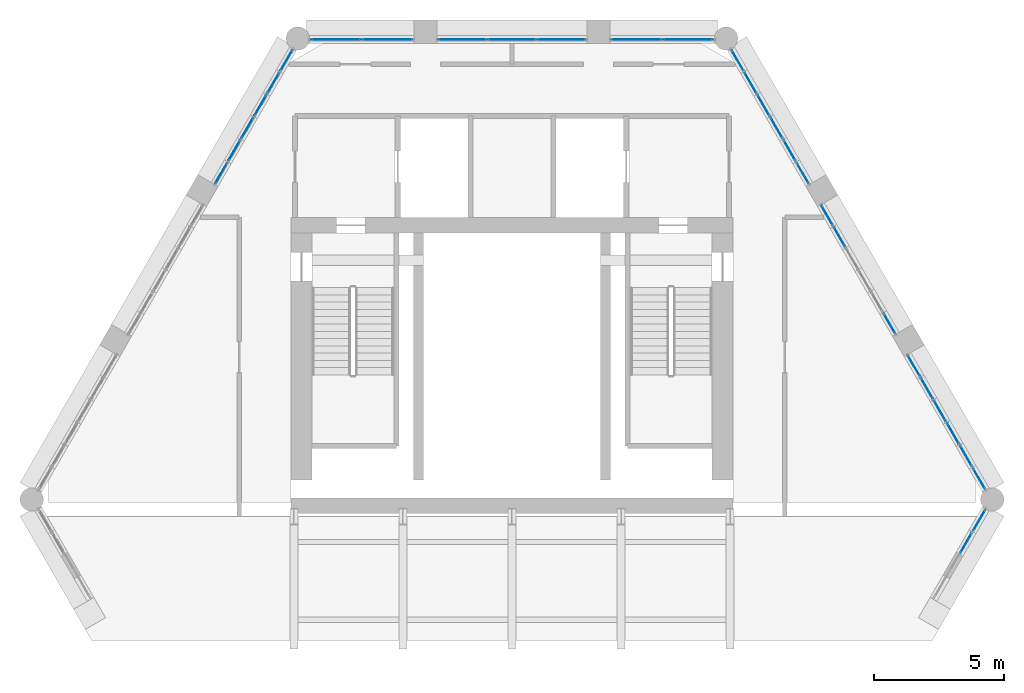
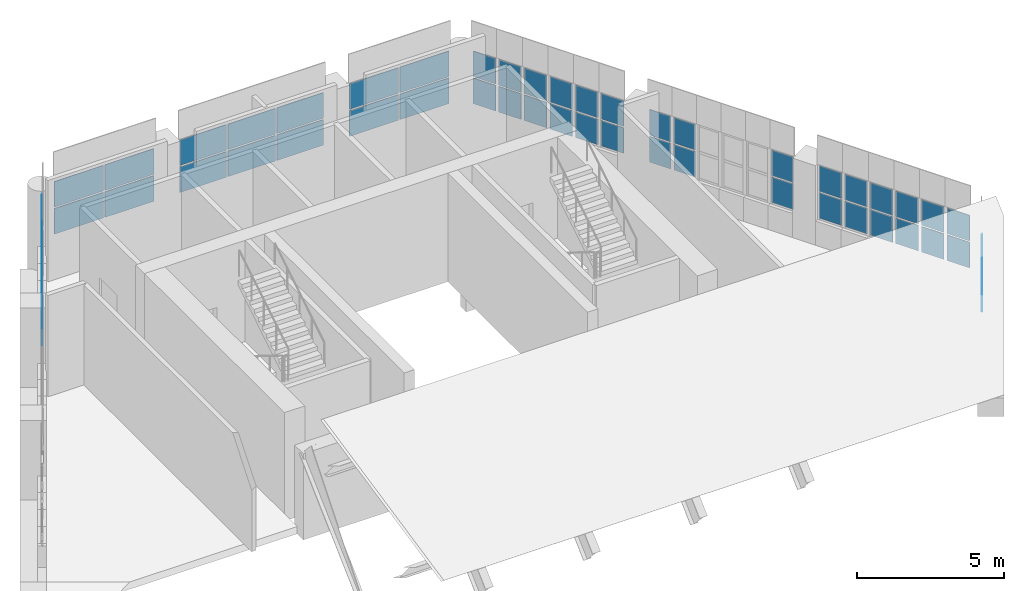
# One storey, part 14 of 20: 59 plates, 26 elements without a shape of their own.
"""IFC4 building model written with IfcOpenShell, lengths in metres."""

from ifc_helpers import new_model, si_unit, direction, frame, origin, origin_2d, place, context, subcontext, project, spatial, rectangle, extrude, material, layer, layer_set, type_object, element, aggregate, save


model = new_model("IFC4")

# Units and contexts
model_context = context("Model", 3, precision=1e-05, world=origin(), true_north=direction((0.0, 1.0)))
body_context = subcontext(model_context, "Body", "Model", "MODEL_VIEW")
ifc_project = project(units=[si_unit("LENGTHUNIT", "METRE"), si_unit("AREAUNIT", "SQUARE_METRE"), si_unit("VOLUMEUNIT", "CUBIC_METRE"), si_unit("PLANEANGLEUNIT", "RADIAN"), si_unit("MASSUNIT", "GRAM", prefix="KILO")], contexts=[model_context])

# Site, building, storey
site_placement = place(None, origin())
site = spatial("IfcSite", under=ifc_project, at=site_placement, CompositionType="ELEMENT")
building_placement = place(site_placement, origin())
building = spatial("IfcBuilding", under=site, at=building_placement, Name="Ostrander Bayou Hotel Tower", CompositionType="ELEMENT")
storey_placement = place(building_placement, frame((0.0, 0.0, 284.0)))
storey = spatial("IfcBuildingStorey", under=building, at=storey_placement, Name="L70", CompositionType="ELEMENT", Elevation=284.0)

# Curtain wall, plates
ifc_material_1 = material(Name="Aluminium and clear glass", Category="aluminium")
curtain_wall_type = type_object("IfcCurtainWallType", Name="CW-CROWN glazed wall", PredefinedType="NOTDEFINED", material=ifc_material_1)
curtain_wall_1_placement = place(storey_placement, origin())
curtain_wall_1 = element("IfcCurtainWall", 1, at=curtain_wall_1_placement, inside=storey, type_object=curtain_wall_type, Name="CW-CROWN L70:N-1", PredefinedType="NOTDEFINED")
ifc_material_2 = material(Name="Clear laminated glass", Category="glass")
ifc_layer = layer(ifc_material_2, 0.028076171875)
ifc_layer_set = layer_set([ifc_layer], Name="CW-CR glazing panel 28 mm")
plate_type = type_object("IfcPlateType", Name="CW-CR glazing panel 28 mm", PredefinedType="CURTAIN_PANEL", material=ifc_layer_set)
plate_1_placement = place(storey_placement, frame((6.77685546875, 16.550048828125, 1.06005859375), z_axis=(0.0, 0.0, 1.0), x_axis=(-1.0, 0.0, 0.0)))
plate_1 = element("IfcPlate", 2, at=plate_1_placement, type_object=plate_type, Name="CW-CROWN panel 1.1", PredefinedType="CURTAIN_PANEL", context=body_context, shape_type="SweptSolid", body=[
    extrude(rectangle(XDim=1.918212890625, YDim=0.028076171875, at=origin_2d()), origin(), (0.0, 0.0, 1.0), 1.06005859375),
])
plate_2_placement = place(storey_placement, frame((6.77685546875, 16.550048828125, 2.179931640625), z_axis=(0.0, 0.0, 1.0), x_axis=(-1.0, 0.0, 0.0)))
plate_2 = element("IfcPlate", 3, at=plate_2_placement, type_object=plate_type, Name="CW-CROWN panel 1.2", PredefinedType="CURTAIN_PANEL", context=body_context, shape_type="SweptSolid", body=[
    extrude(rectangle(XDim=1.918212890625, YDim=0.028076171875, at=origin_2d()), origin(), (0.0, 0.0, 1.0), 1.06005859375),
])
plate_3_placement = place(storey_placement, frame((4.798583984375, 16.550048828125, 1.06005859375), z_axis=(0.0, 0.0, 1.0), x_axis=(-1.0, 0.0, 0.0)))
plate_3 = element("IfcPlate", 4, at=plate_3_placement, type_object=plate_type, Name="CW-CROWN panel 2.1", PredefinedType="CURTAIN_PANEL", context=body_context, shape_type="SweptSolid", body=[
    extrude(rectangle(XDim=1.918212890625, YDim=0.028076171875, at=origin_2d()), origin(), (0.0, 0.0, 1.0), 1.06005859375),
])
plate_4_placement = place(storey_placement, frame((4.798583984375, 16.550048828125, 2.179931640625), z_axis=(0.0, 0.0, 1.0), x_axis=(-1.0, 0.0, 0.0)))
plate_4 = element("IfcPlate", 5, at=plate_4_placement, type_object=plate_type, Name="CW-CROWN panel 2.2", PredefinedType="CURTAIN_PANEL", context=body_context, shape_type="SweptSolid", body=[
    extrude(rectangle(XDim=1.918212890625, YDim=0.028076171875, at=origin_2d()), origin(), (0.0, 0.0, 1.0), 1.06005859375),
])
aggregate(curtain_wall_1, [plate_1, plate_2, plate_3, plate_4])

curtain_wall_2_placement = place(storey_placement, origin())
curtain_wall_2 = element("IfcCurtainWall", 6, at=curtain_wall_2_placement, inside=storey, type_object=curtain_wall_type, Name="CW-CROWN L70:N-2", PredefinedType="NOTDEFINED")
plate_5_placement = place(storey_placement, frame((1.904541015625, 16.550048828125, 1.06005859375), z_axis=(0.0, 0.0, 1.0), x_axis=(-1.0, 0.0, 0.0)))
plate_5 = element("IfcPlate", 7, at=plate_5_placement, type_object=plate_type, Name="CW-CROWN panel 1.1", PredefinedType="CURTAIN_PANEL", context=body_context, shape_type="SweptSolid", body=[
    extrude(rectangle(XDim=1.82958984375, YDim=0.028076171875, at=origin_2d()), origin(), (0.0, 0.0, 1.0), 1.06005859375),
])
plate_6_placement = place(storey_placement, frame((1.904541015625, 16.550048828125, 2.179931640625), z_axis=(0.0, 0.0, 1.0), x_axis=(-1.0, 0.0, 0.0)))
plate_6 = element("IfcPlate", 8, at=plate_6_placement, type_object=plate_type, Name="CW-CROWN panel 1.2", PredefinedType="CURTAIN_PANEL", context=body_context, shape_type="SweptSolid", body=[
    extrude(rectangle(XDim=1.82958984375, YDim=0.028076171875, at=origin_2d()), origin(), (0.0, 0.0, 1.0), 1.06005859375),
])
plate_7_placement = place(storey_placement, frame((0.0, 16.550048828125, 1.06005859375), z_axis=(0.0, 0.0, 1.0), x_axis=(-1.0, 0.0, 0.0)))
plate_7 = element("IfcPlate", 9, at=plate_7_placement, type_object=plate_type, Name="CW-CROWN panel 2.1", PredefinedType="CURTAIN_PANEL", context=body_context, shape_type="SweptSolid", body=[
    extrude(rectangle(XDim=1.859619140625, YDim=0.028076171875, at=origin_2d()), origin(), (0.0, 0.0, 1.0), 1.06005859375),
])
plate_8_placement = place(storey_placement, frame((0.0, 16.550048828125, 2.179931640625), z_axis=(0.0, 0.0, 1.0), x_axis=(-1.0, 0.0, 0.0)))
plate_8 = element("IfcPlate", 10, at=plate_8_placement, type_object=plate_type, Name="CW-CROWN panel 2.2", PredefinedType="CURTAIN_PANEL", context=body_context, shape_type="SweptSolid", body=[
    extrude(rectangle(XDim=1.859619140625, YDim=0.028076171875, at=origin_2d()), origin(), (0.0, 0.0, 1.0), 1.06005859375),
])
plate_9_placement = place(storey_placement, frame((-1.904541015625, 16.550048828125, 1.06005859375), z_axis=(0.0, 0.0, 1.0), x_axis=(-1.0, 0.0, 0.0)))
plate_9 = element("IfcPlate", 11, at=plate_9_placement, type_object=plate_type, Name="CW-CROWN panel 3.1", PredefinedType="CURTAIN_PANEL", context=body_context, shape_type="SweptSolid", body=[
    extrude(rectangle(XDim=1.82958984375, YDim=0.028076171875, at=origin_2d()), origin(), (0.0, 0.0, 1.0), 1.06005859375),
])
plate_10_placement = place(storey_placement, frame((-1.904541015625, 16.550048828125, 2.179931640625), z_axis=(0.0, 0.0, 1.0), x_axis=(-1.0, 0.0, 0.0)))
plate_10 = element("IfcPlate", 12, at=plate_10_placement, type_object=plate_type, Name="CW-CROWN panel 3.2", PredefinedType="CURTAIN_PANEL", context=body_context, shape_type="SweptSolid", body=[
    extrude(rectangle(XDim=1.82958984375, YDim=0.028076171875, at=origin_2d()), origin(), (0.0, 0.0, 1.0), 1.06005859375),
])
aggregate(curtain_wall_2, [plate_5, plate_6, plate_7, plate_8, plate_9, plate_10])

curtain_wall_3_placement = place(storey_placement, origin())
curtain_wall_3 = element("IfcCurtainWall", 13, at=curtain_wall_3_placement, inside=storey, type_object=curtain_wall_type, Name="CW-CROWN L70:N-3", PredefinedType="NOTDEFINED")
plate_11_placement = place(storey_placement, frame((-4.798583984375, 16.550048828125, 1.06005859375), z_axis=(0.0, 0.0, 1.0), x_axis=(-1.0, 0.0, 0.0)))
plate_11 = element("IfcPlate", 14, at=plate_11_placement, type_object=plate_type, Name="CW-CROWN panel 1.1", PredefinedType="CURTAIN_PANEL", context=body_context, shape_type="SweptSolid", body=[
    extrude(rectangle(XDim=1.918212890625, YDim=0.028076171875, at=origin_2d()), origin(), (0.0, 0.0, 1.0), 1.06005859375),
])
plate_12_placement = place(storey_placement, frame((-4.798583984375, 16.550048828125, 2.179931640625), z_axis=(0.0, 0.0, 1.0), x_axis=(-1.0, 0.0, 0.0)))
plate_12 = element("IfcPlate", 15, at=plate_12_placement, type_object=plate_type, Name="CW-CROWN panel 1.2", PredefinedType="CURTAIN_PANEL", context=body_context, shape_type="SweptSolid", body=[
    extrude(rectangle(XDim=1.918212890625, YDim=0.028076171875, at=origin_2d()), origin(), (0.0, 0.0, 1.0), 1.06005859375),
])
plate_13_placement = place(storey_placement, frame((-6.77685546875, 16.550048828125, 1.06005859375), z_axis=(0.0, 0.0, 1.0), x_axis=(-1.0, 0.0, 0.0)))
plate_13 = element("IfcPlate", 16, at=plate_13_placement, type_object=plate_type, Name="CW-CROWN panel 2.1", PredefinedType="CURTAIN_PANEL", context=body_context, shape_type="SweptSolid", body=[
    extrude(rectangle(XDim=1.918212890625, YDim=0.028076171875, at=origin_2d()), origin(), (0.0, 0.0, 1.0), 1.06005859375),
])
plate_14_placement = place(storey_placement, frame((-6.77685546875, 16.550048828125, 2.179931640625), z_axis=(0.0, 0.0, 1.0), x_axis=(-1.0, 0.0, 0.0)))
plate_14 = element("IfcPlate", 17, at=plate_14_placement, type_object=plate_type, Name="CW-CROWN panel 2.2", PredefinedType="CURTAIN_PANEL", context=body_context, shape_type="SweptSolid", body=[
    extrude(rectangle(XDim=1.918212890625, YDim=0.028076171875, at=origin_2d()), origin(), (0.0, 0.0, 1.0), 1.06005859375),
])
aggregate(curtain_wall_3, [plate_11, plate_12, plate_13, plate_14])

curtain_wall_4_placement = place(storey_placement, origin())
curtain_wall_4 = element("IfcCurtainWall", 18, at=curtain_wall_4_placement, inside=storey, type_object=curtain_wall_type, Name="CW-CROWN L70:NW-1-1", PredefinedType="NOTDEFINED")
plate_15_placement = place(storey_placement, frame((-8.682861328125, 15.748046875, 1.06005859375), z_axis=(0.0, 0.0, 1.0), x_axis=(-0.499998569184, -0.866026229865, 0.0)))
plate_15 = element("IfcPlate", 19, at=plate_15_placement, type_object=plate_type, Name="CW-CROWN panel 1.1", PredefinedType="CURTAIN_PANEL", context=body_context, shape_type="SweptSolid", body=[
    extrude(rectangle(XDim=0.88330078125, YDim=0.028076171875, at=origin_2d()), origin(), (0.0, 0.0, 1.0), 1.06005859375),
])
plate_16_placement = place(storey_placement, frame((-8.682861328125, 15.748046875, 2.179931640625), z_axis=(0.0, 0.0, 1.0), x_axis=(-0.499998569184, -0.866026229865, 0.0)))
plate_16 = element("IfcPlate", 20, at=plate_16_placement, type_object=plate_type, Name="CW-CROWN panel 1.2", PredefinedType="CURTAIN_PANEL", context=body_context, shape_type="SweptSolid", body=[
    extrude(rectangle(XDim=0.88330078125, YDim=0.028076171875, at=origin_2d()), origin(), (0.0, 0.0, 1.0), 1.06005859375),
])
aggregate(curtain_wall_4, [plate_15, plate_16])

curtain_wall_5_placement = place(storey_placement, origin())
curtain_wall_5 = element("IfcCurtainWall", 21, at=curtain_wall_5_placement, inside=storey, type_object=curtain_wall_type, Name="CW-CROWN L70:NW-1-2", PredefinedType="NOTDEFINED")
plate_17_placement = place(storey_placement, frame((-9.184326171875, 14.879150390625, 1.06005859375), z_axis=(0.0, 0.0, 1.0), x_axis=(-0.50004173523, -0.866001306597, 0.0)))
plate_17 = element("IfcPlate", 22, at=plate_17_placement, type_object=plate_type, Name="CW-CROWN panel 1.1", PredefinedType="CURTAIN_PANEL", context=body_context, shape_type="SweptSolid", body=[
    extrude(rectangle(XDim=0.883056640625, YDim=0.028076171875, at=origin_2d()), origin(), (0.0, 0.0, 1.0), 1.06005859375),
])
plate_18_placement = place(storey_placement, frame((-9.184326171875, 14.879150390625, 2.179931640625), z_axis=(0.0, 0.0, 1.0), x_axis=(-0.50004173523, -0.866001306597, 0.0)))
plate_18 = element("IfcPlate", 23, at=plate_18_placement, type_object=plate_type, Name="CW-CROWN panel 1.2", PredefinedType="CURTAIN_PANEL", context=body_context, shape_type="SweptSolid", body=[
    extrude(rectangle(XDim=0.883056640625, YDim=0.028076171875, at=origin_2d()), origin(), (0.0, 0.0, 1.0), 1.06005859375),
])
aggregate(curtain_wall_5, [plate_17, plate_18])

curtain_wall_6_placement = place(storey_placement, origin())
curtain_wall_6 = element("IfcCurtainWall", 24, at=curtain_wall_6_placement, inside=storey, type_object=curtain_wall_type, Name="CW-CROWN L70:NW-1-3", PredefinedType="NOTDEFINED")
plate_19_placement = place(storey_placement, frame((-9.68603515625, 14.010498046875, 1.06005859375), z_axis=(0.0, 0.0, 1.0), x_axis=(-0.499998569184, -0.866026229865, 0.0)))
plate_19 = element("IfcPlate", 25, at=plate_19_placement, type_object=plate_type, Name="CW-CROWN panel 1.1", PredefinedType="CURTAIN_PANEL", context=body_context, shape_type="SweptSolid", body=[
    extrude(rectangle(XDim=0.88330078125, YDim=0.028076171875, at=origin_2d()), origin(), (0.0, 0.0, 1.0), 1.06005859375),
])
plate_20_placement = place(storey_placement, frame((-9.68603515625, 14.010498046875, 2.179931640625), z_axis=(0.0, 0.0, 1.0), x_axis=(-0.499998569184, -0.866026229865, 0.0)))
plate_20 = element("IfcPlate", 26, at=plate_20_placement, type_object=plate_type, Name="CW-CROWN panel 1.2", PredefinedType="CURTAIN_PANEL", context=body_context, shape_type="SweptSolid", body=[
    extrude(rectangle(XDim=0.88330078125, YDim=0.028076171875, at=origin_2d()), origin(), (0.0, 0.0, 1.0), 1.06005859375),
])
aggregate(curtain_wall_6, [plate_19, plate_20])

curtain_wall_7_placement = place(storey_placement, origin())
curtain_wall_7 = element("IfcCurtainWall", 27, at=curtain_wall_7_placement, inside=storey, type_object=curtain_wall_type, Name="CW-CROWN L70:NW-1-4", PredefinedType="NOTDEFINED")
plate_21_placement = place(storey_placement, frame((-10.1875, 13.1416015625, 1.06005859375), z_axis=(0.0, 0.0, 1.0), x_axis=(-0.499923802893, -0.866069391736, 0.0)))
plate_21 = element("IfcPlate", 28, at=plate_21_placement, type_object=plate_type, Name="CW-CROWN panel 1.1", PredefinedType="CURTAIN_PANEL", context=body_context, shape_type="SweptSolid", body=[
    extrude(rectangle(XDim=0.883056640625, YDim=0.028076171875, at=origin_2d()), origin(), (0.0, 0.0, 1.0), 1.06005859375),
])
plate_22_placement = place(storey_placement, frame((-10.1875, 13.1416015625, 2.179931640625), z_axis=(0.0, 0.0, 1.0), x_axis=(-0.499923802893, -0.866069391736, 0.0)))
plate_22 = element("IfcPlate", 29, at=plate_22_placement, type_object=plate_type, Name="CW-CROWN panel 1.2", PredefinedType="CURTAIN_PANEL", context=body_context, shape_type="SweptSolid", body=[
    extrude(rectangle(XDim=0.883056640625, YDim=0.028076171875, at=origin_2d()), origin(), (0.0, 0.0, 1.0), 1.06005859375),
])
aggregate(curtain_wall_7, [plate_21, plate_22])

curtain_wall_8_placement = place(storey_placement, origin())
curtain_wall_8 = element("IfcCurtainWall", 30, at=curtain_wall_8_placement, inside=storey, type_object=curtain_wall_type, Name="CW-CROWN L70:NW-1-5", PredefinedType="NOTDEFINED")
plate_23_placement = place(storey_placement, frame((-10.689208984375, 12.27294921875, 1.06005859375), z_axis=(0.0, 0.0, 1.0), x_axis=(-0.50004173523, -0.866001306597, 0.0)))
plate_23 = element("IfcPlate", 31, at=plate_23_placement, type_object=plate_type, Name="CW-CROWN panel 1.1", PredefinedType="CURTAIN_PANEL", context=body_context, shape_type="SweptSolid", body=[
    extrude(rectangle(XDim=0.883056640625, YDim=0.028076171875, at=origin_2d()), origin(), (0.0, 0.0, 1.0), 1.06005859375),
])
plate_24_placement = place(storey_placement, frame((-10.689208984375, 12.27294921875, 2.179931640625), z_axis=(0.0, 0.0, 1.0), x_axis=(-0.50004173523, -0.866001306597, 0.0)))
plate_24 = element("IfcPlate", 32, at=plate_24_placement, type_object=plate_type, Name="CW-CROWN panel 1.2", PredefinedType="CURTAIN_PANEL", context=body_context, shape_type="SweptSolid", body=[
    extrude(rectangle(XDim=0.883056640625, YDim=0.028076171875, at=origin_2d()), origin(), (0.0, 0.0, 1.0), 1.06005859375),
])
aggregate(curtain_wall_8, [plate_23, plate_24])

curtain_wall_9_placement = place(storey_placement, origin())
curtain_wall_9 = element("IfcCurtainWall", 33, at=curtain_wall_9_placement, inside=storey, type_object=curtain_wall_type, Name="CW-CROWN L70:NW-1-6", PredefinedType="NOTDEFINED")
plate_25_placement = place(storey_placement, frame((-11.190673828125, 11.404296875, 1.06005859375), z_axis=(0.0, 0.0, 1.0), x_axis=(-0.499998569184, -0.866026229865, 0.0)))
plate_25 = element("IfcPlate", 34, at=plate_25_placement, type_object=plate_type, Name="CW-CROWN panel 1.1", PredefinedType="CURTAIN_PANEL", context=body_context, shape_type="SweptSolid", body=[
    extrude(rectangle(XDim=0.88330078125, YDim=0.028076171875, at=origin_2d()), origin(), (0.0, 0.0, 1.0), 1.06005859375),
])
plate_26_placement = place(storey_placement, frame((-11.190673828125, 11.404296875, 2.179931640625), z_axis=(0.0, 0.0, 1.0), x_axis=(-0.499998569184, -0.866026229865, 0.0)))
plate_26 = element("IfcPlate", 35, at=plate_26_placement, type_object=plate_type, Name="CW-CROWN panel 1.2", PredefinedType="CURTAIN_PANEL", context=body_context, shape_type="SweptSolid", body=[
    extrude(rectangle(XDim=0.88330078125, YDim=0.028076171875, at=origin_2d()), origin(), (0.0, 0.0, 1.0), 1.06005859375),
])
aggregate(curtain_wall_9, [plate_25, plate_26])

# Curtain wall, plate
curtain_wall_10_placement = place(storey_placement, origin())
curtain_wall_10 = element("IfcCurtainWall", 36, at=curtain_wall_10_placement, inside=storey, type_object=curtain_wall_type, Name="CW-CROWN L70:SE-3-3", PredefinedType="NOTDEFINED")
plate_27_placement = place(storey_placement, frame((17.47705078125, -2.82861328125, 1.06005859375), z_axis=(0.0, 0.0, 1.0), x_axis=(0.500007031615, 0.866021344042, 0.0)))
plate_27 = element("IfcPlate", 37, at=plate_27_placement, type_object=plate_type, Name="CW-CROWN panel 1.1", PredefinedType="CURTAIN_PANEL", context=body_context, shape_type="SweptSolid", body=[
    extrude(rectangle(XDim=0.8837890625, YDim=0.028076171875, at=origin_2d()), origin(), (0.0, 0.0, 1.0), 1.11181640625),
])
aggregate(curtain_wall_10, [plate_27])

# Curtain wall, plates
curtain_wall_11_placement = place(storey_placement, origin())
curtain_wall_11 = element("IfcCurtainWall", 38, at=curtain_wall_11_placement, inside=storey, type_object=curtain_wall_type, Name="CW-CROWN L70:SE-3-4", PredefinedType="NOTDEFINED")
plate_28_placement = place(storey_placement, frame((17.97900390625, -1.959228515625, 1.06005859375), z_axis=(0.0, 0.0, 1.0), x_axis=(0.499963896343, 0.866046247237, 0.0)))
plate_28 = element("IfcPlate", 39, at=plate_28_placement, type_object=plate_type, Name="CW-CROWN panel 1.1", PredefinedType="CURTAIN_PANEL", context=body_context, shape_type="SweptSolid", body=[
    extrude(rectangle(XDim=0.8837890625, YDim=0.028076171875, at=origin_2d()), origin(), (0.0, 0.0, 1.0), 0.935302734375),
])
plate_29_placement = place(storey_placement, frame((17.97900390625, -1.959228515625, 2.05517578125), z_axis=(0.0, 0.0, 1.0), x_axis=(0.499963896343, 0.866046247237, 0.0)))
plate_29 = element("IfcPlate", 40, at=plate_29_placement, type_object=plate_type, Name="CW-CROWN panel 1.2", PredefinedType="CURTAIN_PANEL", context=body_context, shape_type="SweptSolid", body=[
    extrude(rectangle(XDim=0.8837890625, YDim=0.028076171875, at=origin_2d()), origin(), (0.0, 0.0, 1.0), 0.935302734375),
])
aggregate(curtain_wall_11, [plate_28, plate_29])

curtain_wall_12_placement = place(storey_placement, origin())
curtain_wall_12 = element("IfcCurtainWall", 41, at=curtain_wall_12_placement, inside=storey, type_object=curtain_wall_type, Name="CW-CROWN L70:NE-1-1", PredefinedType="NOTDEFINED")
plate_30_placement = place(storey_placement, frame((17.979248046875, -0.35400390625, 1.06005859375), z_axis=(0.0, 0.0, 1.0), x_axis=(-0.500084907485, 0.865976376875, 0.0)))
plate_30 = element("IfcPlate", 42, at=plate_30_placement, type_object=plate_type, Name="CW-CROWN panel 1.1", PredefinedType="CURTAIN_PANEL", context=body_context, shape_type="SweptSolid", body=[
    extrude(rectangle(XDim=0.883056640625, YDim=0.028076171875, at=origin_2d()), origin(), (0.0, 0.0, 1.0), 1.06005859375),
])
plate_31_placement = place(storey_placement, frame((17.979248046875, -0.35400390625, 2.179931640625), z_axis=(0.0, 0.0, 1.0), x_axis=(-0.500084907485, 0.865976376875, 0.0)))
plate_31 = element("IfcPlate", 43, at=plate_31_placement, type_object=plate_type, Name="CW-CROWN panel 1.2", PredefinedType="CURTAIN_PANEL", context=body_context, shape_type="SweptSolid", body=[
    extrude(rectangle(XDim=0.883056640625, YDim=0.028076171875, at=origin_2d()), origin(), (0.0, 0.0, 1.0), 1.06005859375),
])
aggregate(curtain_wall_12, [plate_30, plate_31])

curtain_wall_13_placement = place(storey_placement, origin())
curtain_wall_13 = element("IfcCurtainWall", 44, at=curtain_wall_13_placement, inside=storey, type_object=curtain_wall_type, Name="CW-CROWN L70:NE-1-2", PredefinedType="NOTDEFINED")
plate_32_placement = place(storey_placement, frame((17.477783203125, 0.5146484375, 1.06005859375), z_axis=(0.0, 0.0, 1.0), x_axis=(-0.499966966783, 0.866044474681, 0.0)))
plate_32 = element("IfcPlate", 45, at=plate_32_placement, type_object=plate_type, Name="CW-CROWN panel 1.1", PredefinedType="CURTAIN_PANEL", context=body_context, shape_type="SweptSolid", body=[
    extrude(rectangle(XDim=0.883056640625, YDim=0.028076171875, at=origin_2d()), origin(), (0.0, 0.0, 1.0), 1.06005859375),
])
plate_33_placement = place(storey_placement, frame((17.477783203125, 0.5146484375, 2.179931640625), z_axis=(0.0, 0.0, 1.0), x_axis=(-0.499966966783, 0.866044474681, 0.0)))
plate_33 = element("IfcPlate", 46, at=plate_33_placement, type_object=plate_type, Name="CW-CROWN panel 1.2", PredefinedType="CURTAIN_PANEL", context=body_context, shape_type="SweptSolid", body=[
    extrude(rectangle(XDim=0.883056640625, YDim=0.028076171875, at=origin_2d()), origin(), (0.0, 0.0, 1.0), 1.06005859375),
])
aggregate(curtain_wall_13, [plate_32, plate_33])

curtain_wall_14_placement = place(storey_placement, origin())
curtain_wall_14 = element("IfcCurtainWall", 47, at=curtain_wall_14_placement, inside=storey, type_object=curtain_wall_type, Name="CW-CROWN L70:NE-1-3", PredefinedType="NOTDEFINED")
plate_34_placement = place(storey_placement, frame((16.976318359375, 1.38330078125, 1.06005859375), z_axis=(0.0, 0.0, 1.0), x_axis=(-0.499966966783, 0.866044474681, 0.0)))
plate_34 = element("IfcPlate", 48, at=plate_34_placement, type_object=plate_type, Name="CW-CROWN panel 1.1", PredefinedType="CURTAIN_PANEL", context=body_context, shape_type="SweptSolid", body=[
    extrude(rectangle(XDim=0.883056640625, YDim=0.028076171875, at=origin_2d()), origin(), (0.0, 0.0, 1.0), 1.06005859375),
])
plate_35_placement = place(storey_placement, frame((16.976318359375, 1.38330078125, 2.179931640625), z_axis=(0.0, 0.0, 1.0), x_axis=(-0.499966966783, 0.866044474681, 0.0)))
plate_35 = element("IfcPlate", 49, at=plate_35_placement, type_object=plate_type, Name="CW-CROWN panel 1.2", PredefinedType="CURTAIN_PANEL", context=body_context, shape_type="SweptSolid", body=[
    extrude(rectangle(XDim=0.883056640625, YDim=0.028076171875, at=origin_2d()), origin(), (0.0, 0.0, 1.0), 1.06005859375),
])
aggregate(curtain_wall_14, [plate_34, plate_35])

curtain_wall_15_placement = place(storey_placement, origin())
curtain_wall_15 = element("IfcCurtainWall", 50, at=curtain_wall_15_placement, inside=storey, type_object=curtain_wall_type, Name="CW-CROWN L70:NE-1-4", PredefinedType="NOTDEFINED")
plate_36_placement = place(storey_placement, frame((16.474853515625, 2.251953125, 1.06005859375), z_axis=(0.0, 0.0, 1.0), x_axis=(-0.500010136897, 0.866019551165, 0.0)))
plate_36 = element("IfcPlate", 51, at=plate_36_placement, type_object=plate_type, Name="CW-CROWN panel 1.1", PredefinedType="CURTAIN_PANEL", context=body_context, shape_type="SweptSolid", body=[
    extrude(rectangle(XDim=0.883056640625, YDim=0.028076171875, at=origin_2d()), origin(), (0.0, 0.0, 1.0), 1.06005859375),
])
plate_37_placement = place(storey_placement, frame((16.474853515625, 2.251953125, 2.179931640625), z_axis=(0.0, 0.0, 1.0), x_axis=(-0.500010136897, 0.866019551165, 0.0)))
plate_37 = element("IfcPlate", 52, at=plate_37_placement, type_object=plate_type, Name="CW-CROWN panel 1.2", PredefinedType="CURTAIN_PANEL", context=body_context, shape_type="SweptSolid", body=[
    extrude(rectangle(XDim=0.883056640625, YDim=0.028076171875, at=origin_2d()), origin(), (0.0, 0.0, 1.0), 1.06005859375),
])
aggregate(curtain_wall_15, [plate_36, plate_37])

curtain_wall_16_placement = place(storey_placement, origin())
curtain_wall_16 = element("IfcCurtainWall", 53, at=curtain_wall_16_placement, inside=storey, type_object=curtain_wall_type, Name="CW-CROWN L70:NE-1-5", PredefinedType="NOTDEFINED")
plate_38_placement = place(storey_placement, frame((15.97314453125, 3.12060546875, 1.06005859375), z_axis=(0.0, 0.0, 1.0), x_axis=(-0.50004173523, 0.866001306597, 0.0)))
plate_38 = element("IfcPlate", 54, at=plate_38_placement, type_object=plate_type, Name="CW-CROWN panel 1.1", PredefinedType="CURTAIN_PANEL", context=body_context, shape_type="SweptSolid", body=[
    extrude(rectangle(XDim=0.883056640625, YDim=0.028076171875, at=origin_2d()), origin(), (0.0, 0.0, 1.0), 1.06005859375),
])
plate_39_placement = place(storey_placement, frame((15.97314453125, 3.12060546875, 2.179931640625), z_axis=(0.0, 0.0, 1.0), x_axis=(-0.50004173523, 0.866001306597, 0.0)))
plate_39 = element("IfcPlate", 55, at=plate_39_placement, type_object=plate_type, Name="CW-CROWN panel 1.2", PredefinedType="CURTAIN_PANEL", context=body_context, shape_type="SweptSolid", body=[
    extrude(rectangle(XDim=0.883056640625, YDim=0.028076171875, at=origin_2d()), origin(), (0.0, 0.0, 1.0), 1.06005859375),
])
aggregate(curtain_wall_16, [plate_38, plate_39])

curtain_wall_17_placement = place(storey_placement, origin())
curtain_wall_17 = element("IfcCurtainWall", 56, at=curtain_wall_17_placement, inside=storey, type_object=curtain_wall_type, Name="CW-CROWN L70:NE-1-6", PredefinedType="NOTDEFINED")
plate_40_placement = place(storey_placement, frame((15.4716796875, 3.9892578125, 1.06005859375), z_axis=(0.0, 0.0, 1.0), x_axis=(-0.499966966783, 0.866044474681, 0.0)))
plate_40 = element("IfcPlate", 57, at=plate_40_placement, type_object=plate_type, Name="CW-CROWN panel 1.1", PredefinedType="CURTAIN_PANEL", context=body_context, shape_type="SweptSolid", body=[
    extrude(rectangle(XDim=0.883056640625, YDim=0.028076171875, at=origin_2d()), origin(), (0.0, 0.0, 1.0), 1.06005859375),
])
plate_41_placement = place(storey_placement, frame((15.4716796875, 3.9892578125, 2.179931640625), z_axis=(0.0, 0.0, 1.0), x_axis=(-0.499966966783, 0.866044474681, 0.0)))
plate_41 = element("IfcPlate", 58, at=plate_41_placement, type_object=plate_type, Name="CW-CROWN panel 1.2", PredefinedType="CURTAIN_PANEL", context=body_context, shape_type="SweptSolid", body=[
    extrude(rectangle(XDim=0.883056640625, YDim=0.028076171875, at=origin_2d()), origin(), (0.0, 0.0, 1.0), 1.06005859375),
])
aggregate(curtain_wall_17, [plate_40, plate_41])

curtain_wall_18_placement = place(storey_placement, origin())
curtain_wall_18 = element("IfcCurtainWall", 59, at=curtain_wall_18_placement, inside=storey, type_object=curtain_wall_type, Name="CW-CROWN L70:NE-2-1", PredefinedType="NOTDEFINED")
plate_42_placement = place(storey_placement, frame((14.531005859375, 5.61865234375, 1.06005859375), z_axis=(0.0, 0.0, 1.0), x_axis=(-0.500005045044, 0.866022491007, 0.0)))
plate_42 = element("IfcPlate", 60, at=plate_42_placement, type_object=plate_type, Name="CW-CROWN panel 1.1", PredefinedType="CURTAIN_PANEL", context=body_context, shape_type="SweptSolid", body=[
    extrude(rectangle(XDim=0.83984375, YDim=0.028076171875, at=origin_2d()), origin(), (0.0, 0.0, 1.0), 1.06005859375),
])
plate_43_placement = place(storey_placement, frame((14.531005859375, 5.61865234375, 2.179931640625), z_axis=(0.0, 0.0, 1.0), x_axis=(-0.500005045044, 0.866022491007, 0.0)))
plate_43 = element("IfcPlate", 61, at=plate_43_placement, type_object=plate_type, Name="CW-CROWN panel 1.2", PredefinedType="CURTAIN_PANEL", context=body_context, shape_type="SweptSolid", body=[
    extrude(rectangle(XDim=0.83984375, YDim=0.028076171875, at=origin_2d()), origin(), (0.0, 0.0, 1.0), 1.06005859375),
])
aggregate(curtain_wall_18, [plate_42, plate_43])

curtain_wall_19_placement = place(storey_placement, origin())
curtain_wall_19 = element("IfcCurtainWall", 62, at=curtain_wall_19_placement, inside=storey, type_object=curtain_wall_type, Name="CW-CROWN L70:NE-2-5", PredefinedType="NOTDEFINED")
plate_44_placement = place(storey_placement, frame((12.611328125, 8.943603515625, 1.06005859375), z_axis=(0.0, 0.0, 1.0), x_axis=(-0.500005045044, 0.866022491007, 0.0)))
plate_44 = element("IfcPlate", 63, at=plate_44_placement, type_object=plate_type, Name="CW-CROWN panel 1.1", PredefinedType="CURTAIN_PANEL", context=body_context, shape_type="SweptSolid", body=[
    extrude(rectangle(XDim=0.83984375, YDim=0.028076171875, at=origin_2d()), origin(), (0.0, 0.0, 1.0), 1.06005859375),
])
plate_45_placement = place(storey_placement, frame((12.611328125, 8.943603515625, 2.179931640625), z_axis=(0.0, 0.0, 1.0), x_axis=(-0.500005045044, 0.866022491007, 0.0)))
plate_45 = element("IfcPlate", 64, at=plate_45_placement, type_object=plate_type, Name="CW-CROWN panel 1.2", PredefinedType="CURTAIN_PANEL", context=body_context, shape_type="SweptSolid", body=[
    extrude(rectangle(XDim=0.83984375, YDim=0.028076171875, at=origin_2d()), origin(), (0.0, 0.0, 1.0), 1.06005859375),
])
aggregate(curtain_wall_19, [plate_44, plate_45])

curtain_wall_20_placement = place(storey_placement, origin())
curtain_wall_20 = element("IfcCurtainWall", 65, at=curtain_wall_20_placement, inside=storey, type_object=curtain_wall_type, Name="CW-CROWN L70:NE-2-6", PredefinedType="NOTDEFINED")
plate_46_placement = place(storey_placement, frame((12.13134765625, 9.77490234375, 1.06005859375), z_axis=(0.0, 0.0, 1.0), x_axis=(-0.500005045044, 0.866022491007, 0.0)))
plate_46 = element("IfcPlate", 66, at=plate_46_placement, type_object=plate_type, Name="CW-CROWN panel 1.1", PredefinedType="CURTAIN_PANEL", context=body_context, shape_type="SweptSolid", body=[
    extrude(rectangle(XDim=0.83984375, YDim=0.028076171875, at=origin_2d()), origin(), (0.0, 0.0, 1.0), 1.06005859375),
])
plate_47_placement = place(storey_placement, frame((12.13134765625, 9.77490234375, 2.179931640625), z_axis=(0.0, 0.0, 1.0), x_axis=(-0.500005045044, 0.866022491007, 0.0)))
plate_47 = element("IfcPlate", 67, at=plate_47_placement, type_object=plate_type, Name="CW-CROWN panel 1.2", PredefinedType="CURTAIN_PANEL", context=body_context, shape_type="SweptSolid", body=[
    extrude(rectangle(XDim=0.83984375, YDim=0.028076171875, at=origin_2d()), origin(), (0.0, 0.0, 1.0), 1.06005859375),
])
aggregate(curtain_wall_20, [plate_46, plate_47])

curtain_wall_21_placement = place(storey_placement, origin())
curtain_wall_21 = element("IfcCurtainWall", 68, at=curtain_wall_21_placement, inside=storey, type_object=curtain_wall_type, Name="CW-CROWN L70:NE-3-1", PredefinedType="NOTDEFINED")
plate_48_placement = place(storey_placement, frame((11.190673828125, 11.404296875, 1.06005859375), z_axis=(0.0, 0.0, 1.0), x_axis=(-0.499998569184, 0.866026229865, 0.0)))
plate_48 = element("IfcPlate", 69, at=plate_48_placement, type_object=plate_type, Name="CW-CROWN panel 1.1", PredefinedType="CURTAIN_PANEL", context=body_context, shape_type="SweptSolid", body=[
    extrude(rectangle(XDim=0.88330078125, YDim=0.028076171875, at=origin_2d()), origin(), (0.0, 0.0, 1.0), 1.06005859375),
])
plate_49_placement = place(storey_placement, frame((11.190673828125, 11.404296875, 2.179931640625), z_axis=(0.0, 0.0, 1.0), x_axis=(-0.499998569184, 0.866026229865, 0.0)))
plate_49 = element("IfcPlate", 70, at=plate_49_placement, type_object=plate_type, Name="CW-CROWN panel 1.2", PredefinedType="CURTAIN_PANEL", context=body_context, shape_type="SweptSolid", body=[
    extrude(rectangle(XDim=0.88330078125, YDim=0.028076171875, at=origin_2d()), origin(), (0.0, 0.0, 1.0), 1.06005859375),
])
aggregate(curtain_wall_21, [plate_48, plate_49])

curtain_wall_22_placement = place(storey_placement, origin())
curtain_wall_22 = element("IfcCurtainWall", 71, at=curtain_wall_22_placement, inside=storey, type_object=curtain_wall_type, Name="CW-CROWN L70:NE-3-2", PredefinedType="NOTDEFINED")
plate_50_placement = place(storey_placement, frame((10.689208984375, 12.27294921875, 1.06005859375), z_axis=(0.0, 0.0, 1.0), x_axis=(-0.50004173523, 0.866001306597, 0.0)))
plate_50 = element("IfcPlate", 72, at=plate_50_placement, type_object=plate_type, Name="CW-CROWN panel 1.1", PredefinedType="CURTAIN_PANEL", context=body_context, shape_type="SweptSolid", body=[
    extrude(rectangle(XDim=0.883056640625, YDim=0.028076171875, at=origin_2d()), origin(), (0.0, 0.0, 1.0), 1.06005859375),
])
plate_51_placement = place(storey_placement, frame((10.689208984375, 12.27294921875, 2.179931640625), z_axis=(0.0, 0.0, 1.0), x_axis=(-0.50004173523, 0.866001306597, 0.0)))
plate_51 = element("IfcPlate", 73, at=plate_51_placement, type_object=plate_type, Name="CW-CROWN panel 1.2", PredefinedType="CURTAIN_PANEL", context=body_context, shape_type="SweptSolid", body=[
    extrude(rectangle(XDim=0.883056640625, YDim=0.028076171875, at=origin_2d()), origin(), (0.0, 0.0, 1.0), 1.06005859375),
])
aggregate(curtain_wall_22, [plate_50, plate_51])

curtain_wall_23_placement = place(storey_placement, origin())
curtain_wall_23 = element("IfcCurtainWall", 74, at=curtain_wall_23_placement, inside=storey, type_object=curtain_wall_type, Name="CW-CROWN L70:NE-3-3", PredefinedType="NOTDEFINED")
plate_52_placement = place(storey_placement, frame((10.1875, 13.1416015625, 1.06005859375), z_axis=(0.0, 0.0, 1.0), x_axis=(-0.499923802893, 0.866069391736, 0.0)))
plate_52 = element("IfcPlate", 75, at=plate_52_placement, type_object=plate_type, Name="CW-CROWN panel 1.1", PredefinedType="CURTAIN_PANEL", context=body_context, shape_type="SweptSolid", body=[
    extrude(rectangle(XDim=0.883056640625, YDim=0.028076171875, at=origin_2d()), origin(), (0.0, 0.0, 1.0), 1.06005859375),
])
plate_53_placement = place(storey_placement, frame((10.1875, 13.1416015625, 2.179931640625), z_axis=(0.0, 0.0, 1.0), x_axis=(-0.499923802893, 0.866069391736, 0.0)))
plate_53 = element("IfcPlate", 76, at=plate_53_placement, type_object=plate_type, Name="CW-CROWN panel 1.2", PredefinedType="CURTAIN_PANEL", context=body_context, shape_type="SweptSolid", body=[
    extrude(rectangle(XDim=0.883056640625, YDim=0.028076171875, at=origin_2d()), origin(), (0.0, 0.0, 1.0), 1.06005859375),
])
aggregate(curtain_wall_23, [plate_52, plate_53])

curtain_wall_24_placement = place(storey_placement, origin())
curtain_wall_24 = element("IfcCurtainWall", 77, at=curtain_wall_24_placement, inside=storey, type_object=curtain_wall_type, Name="CW-CROWN L70:NE-3-4", PredefinedType="NOTDEFINED")
plate_54_placement = place(storey_placement, frame((9.68603515625, 14.010498046875, 1.06005859375), z_axis=(0.0, 0.0, 1.0), x_axis=(-0.499998569184, 0.866026229865, 0.0)))
plate_54 = element("IfcPlate", 78, at=plate_54_placement, type_object=plate_type, Name="CW-CROWN panel 1.1", PredefinedType="CURTAIN_PANEL", context=body_context, shape_type="SweptSolid", body=[
    extrude(rectangle(XDim=0.88330078125, YDim=0.028076171875, at=origin_2d()), origin(), (0.0, 0.0, 1.0), 1.06005859375),
])
plate_55_placement = place(storey_placement, frame((9.68603515625, 14.010498046875, 2.179931640625), z_axis=(0.0, 0.0, 1.0), x_axis=(-0.499998569184, 0.866026229865, 0.0)))
plate_55 = element("IfcPlate", 79, at=plate_55_placement, type_object=plate_type, Name="CW-CROWN panel 1.2", PredefinedType="CURTAIN_PANEL", context=body_context, shape_type="SweptSolid", body=[
    extrude(rectangle(XDim=0.88330078125, YDim=0.028076171875, at=origin_2d()), origin(), (0.0, 0.0, 1.0), 1.06005859375),
])
aggregate(curtain_wall_24, [plate_54, plate_55])

curtain_wall_25_placement = place(storey_placement, origin())
curtain_wall_25 = element("IfcCurtainWall", 80, at=curtain_wall_25_placement, inside=storey, type_object=curtain_wall_type, Name="CW-CROWN L70:NE-3-5", PredefinedType="NOTDEFINED")
plate_56_placement = place(storey_placement, frame((9.184326171875, 14.879150390625, 1.06005859375), z_axis=(0.0, 0.0, 1.0), x_axis=(-0.50004173523, 0.866001306597, 0.0)))
plate_56 = element("IfcPlate", 81, at=plate_56_placement, type_object=plate_type, Name="CW-CROWN panel 1.1", PredefinedType="CURTAIN_PANEL", context=body_context, shape_type="SweptSolid", body=[
    extrude(rectangle(XDim=0.883056640625, YDim=0.028076171875, at=origin_2d()), origin(), (0.0, 0.0, 1.0), 1.06005859375),
])
plate_57_placement = place(storey_placement, frame((9.184326171875, 14.879150390625, 2.179931640625), z_axis=(0.0, 0.0, 1.0), x_axis=(-0.50004173523, 0.866001306597, 0.0)))
plate_57 = element("IfcPlate", 82, at=plate_57_placement, type_object=plate_type, Name="CW-CROWN panel 1.2", PredefinedType="CURTAIN_PANEL", context=body_context, shape_type="SweptSolid", body=[
    extrude(rectangle(XDim=0.883056640625, YDim=0.028076171875, at=origin_2d()), origin(), (0.0, 0.0, 1.0), 1.06005859375),
])
aggregate(curtain_wall_25, [plate_56, plate_57])

curtain_wall_26_placement = place(storey_placement, origin())
curtain_wall_26 = element("IfcCurtainWall", 83, at=curtain_wall_26_placement, inside=storey, type_object=curtain_wall_type, Name="CW-CROWN L70:NE-3-6", PredefinedType="NOTDEFINED")
plate_58_placement = place(storey_placement, frame((8.682861328125, 15.748046875, 1.06005859375), z_axis=(0.0, 0.0, 1.0), x_axis=(-0.499998569184, 0.866026229865, 0.0)))
plate_58 = element("IfcPlate", 84, at=plate_58_placement, type_object=plate_type, Name="CW-CROWN panel 1.1", PredefinedType="CURTAIN_PANEL", context=body_context, shape_type="SweptSolid", body=[
    extrude(rectangle(XDim=0.88330078125, YDim=0.028076171875, at=origin_2d()), origin(), (0.0, 0.0, 1.0), 1.06005859375),
])
plate_59_placement = place(storey_placement, frame((8.682861328125, 15.748046875, 2.179931640625), z_axis=(0.0, 0.0, 1.0), x_axis=(-0.499998569184, 0.866026229865, 0.0)))
plate_59 = element("IfcPlate", 85, at=plate_59_placement, type_object=plate_type, Name="CW-CROWN panel 1.2", PredefinedType="CURTAIN_PANEL", context=body_context, shape_type="SweptSolid", body=[
    extrude(rectangle(XDim=0.88330078125, YDim=0.028076171875, at=origin_2d()), origin(), (0.0, 0.0, 1.0), 1.06005859375),
])
aggregate(curtain_wall_26, [plate_58, plate_59])

save(model, "model.ifc")
